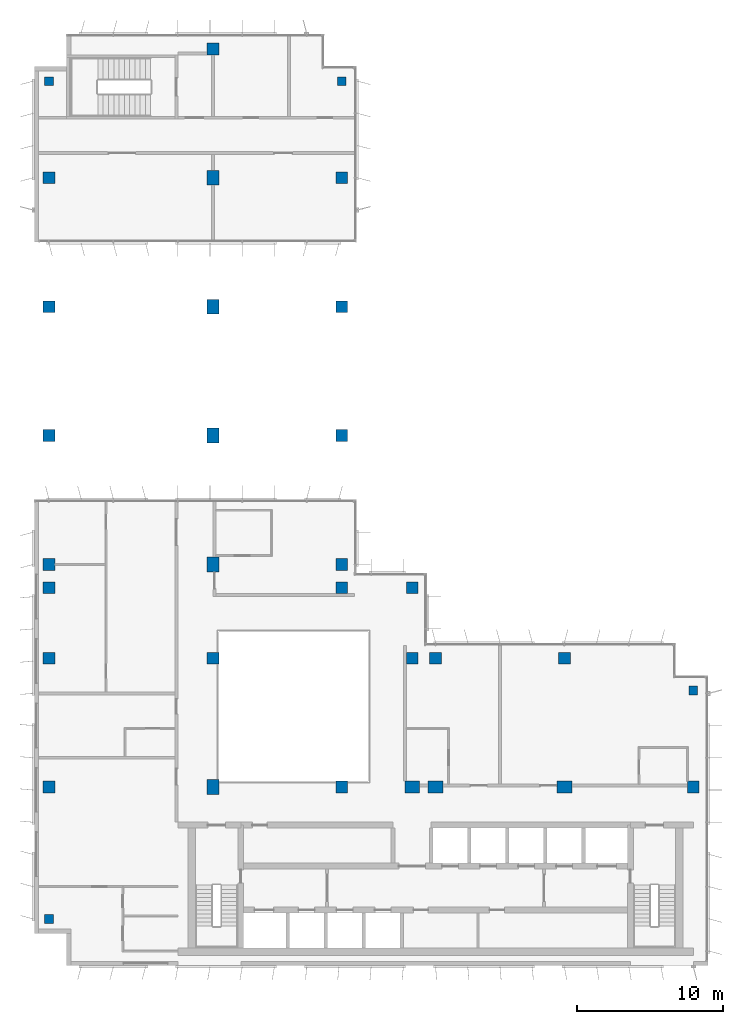
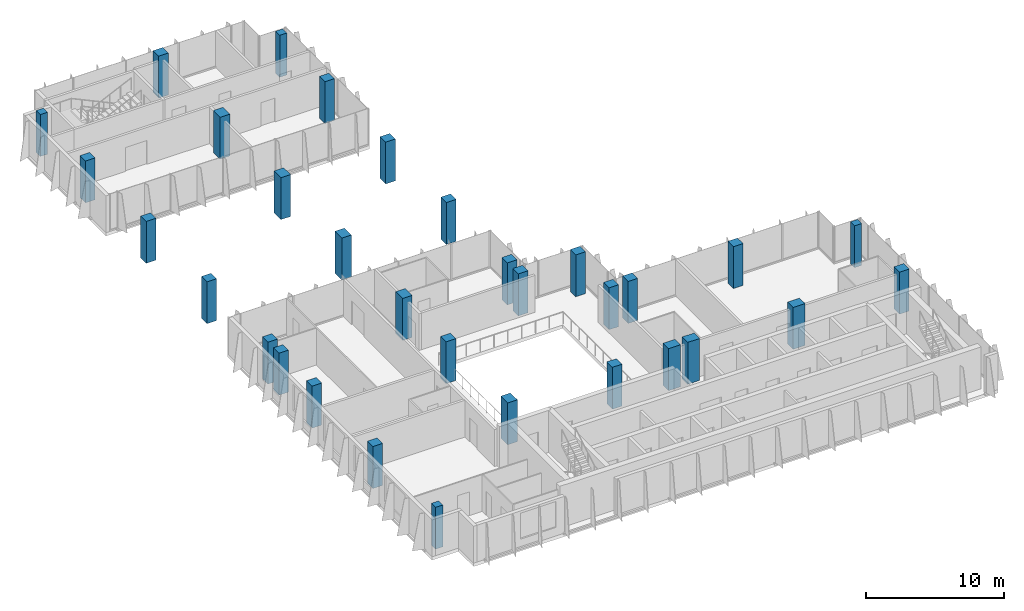
# One storey, part 1 of 13: 32 columns.
"""IFC4 building model written with IfcOpenShell, lengths in metres."""

from ifc_helpers import new_model, si_unit, direction, frame, origin, origin_2d, place, context, subcontext, project, spatial, rectangle, extrude, material, material_profile, profile_set, type_object, element, save


model = new_model("IFC4")

# Units and contexts
model_context = context("Model", 3, precision=1e-05, world=origin(), true_north=direction((0.0, 1.0)))
body_context = subcontext(model_context, "Body", "Model", "MODEL_VIEW")
ifc_project = project(units=[si_unit("LENGTHUNIT", "METRE"), si_unit("AREAUNIT", "SQUARE_METRE"), si_unit("VOLUMEUNIT", "CUBIC_METRE"), si_unit("PLANEANGLEUNIT", "RADIAN"), si_unit("MASSUNIT", "GRAM", prefix="KILO")], contexts=[model_context])

# Site, building, storey
site_placement = place(None, origin())
site = spatial("IfcSite", under=ifc_project, at=site_placement, CompositionType="ELEMENT")
building_placement = place(site_placement, origin())
building = spatial("IfcBuilding", under=site, at=building_placement, Name="Kemantara Hotel Tower", CompositionType="ELEMENT")
storey_placement = place(building_placement, frame((0.0, 0.0, 252.39990234375)))
storey = spatial("IfcBuildingStorey", under=building, at=storey_placement, Name="L63", CompositionType="ELEMENT", Elevation=252.39990234375)

# Columns
ifc_material = material(Name="Concrete fc 60 MPa", Category="concrete")
ifc_material_profile_1 = material_profile(ifc_material, rectangle(XDim=1.0, YDim=0.800048828125, at=origin_2d()), Name="RC 1000X800")
ifc_profile_set_1 = profile_set([ifc_material_profile_1], Name="Concrete fc 60 MPa")
column_type_1 = type_object("IfcColumnType", Name="RC COLUMN 1000X800 FC60", PredefinedType="COLUMN", material=ifc_profile_set_1)
for number, where, z_axis, x_axis, name in (
    (1, (12.199951171875, 12.199951171875, 0.0), (0.0, 0.0, 1.0), (0.0, 1.0, 0.0), "COLUMN 2A/BA L63"),
    (2, (12.199951171875, 27.39990234375, 0.0), (0.0, 0.0, 1.0), (0.0, 1.0, 0.0), "COLUMN 2A/D L63"),
    (3, (12.199951171875, 36.199951171875, 0.0), (0.0, 0.0, 1.0), (0.0, 1.0, 0.0), "COLUMN 2A/E L63"),
    (4, (12.199951171875, 45.0, 0.0), (0.0, 0.0, 1.0), (0.0, 1.0, 0.0), "COLUMN 2A/F L63"),
    (5, (12.199951171875, 53.800048828125, 0.0), (0.0, 0.0, 1.0), (0.0, 1.0, 0.0), "COLUMN 2A/G L63"),
    (6, (25.800048828125, 12.199951171875, 0.0), (0.0, 0.0, 1.0), (1.0, 0.0, 0.0), "COLUMN 3A/BA L63"),
    (7, (27.39990234375, 12.199951171875, 0.0), (0.0, 0.0, 1.0), (1.0, 0.0, 0.0), "COLUMN 4/BA L63"),
    (8, (36.199951171875, 12.199951171875, 0.0), (0.0, 0.0, 1.0), (1.0, 0.0, 0.0), "COLUMN 5/BA L63"),
):
    element("IfcColumn", number, at=place(storey_placement, frame(where, z_axis=z_axis, x_axis=x_axis)), inside=storey, type_object=column_type_1, Name=name, PredefinedType="COLUMN", context=body_context, shape_type="SweptSolid", body=[
        extrude(rectangle(XDim=1.0, YDim=0.800048828125, at=origin_2d()), origin(), (0.0, 0.0, 1.0), 3.7001953125),
    ])
ifc_material_profile_2 = material_profile(ifc_material, rectangle(XDim=0.60009765625, YDim=0.60009765625, at=origin_2d()), Name="RC 600X600")
ifc_profile_set_2 = profile_set([ifc_material_profile_2], Name="Concrete fc 60 MPa")
column_type_2 = type_object("IfcColumnType", Name="RC COLUMN 600X600 FC60", PredefinedType="COLUMN", material=ifc_profile_set_2)
for number, where, z_axis, x_axis, name in (
    (9, (1.0, 3.199951171875, 0.0), (0.0, 0.0, 1.0), (1.0, 0.0, 0.0), "COLUMN notch corner L63"),
    (10, (1.0, 60.39990234375, 0.0), (0.0, 0.0, 1.0), (1.0, 0.0, 0.0), "COLUMN notch corner L63"),
    (11, (21.0, 60.39990234375, 0.0), (0.0, 0.0, 1.0), (1.0, 0.0, 0.0), "COLUMN notch corner L63"),
    (12, (45.0, 18.800048828125, 0.0), (0.0, 0.0, 1.0), (1.0, 0.0, 0.0), "COLUMN notch corner L63"),
):
    element("IfcColumn", number, at=place(storey_placement, frame(where, z_axis=z_axis, x_axis=x_axis)), inside=storey, type_object=column_type_2, Name=name, PredefinedType="COLUMN", context=body_context, shape_type="SweptSolid", body=[
        extrude(rectangle(XDim=0.60009765625, YDim=0.60009765625, at=origin_2d()), origin(), (0.0, 0.0, 1.0), 3.7001953125),
    ])
ifc_material_profile_3 = material_profile(ifc_material, rectangle(XDim=0.800048828125, YDim=0.800048828125, at=origin_2d()), Name="RC 800X800")
ifc_profile_set_3 = profile_set([ifc_material_profile_3], Name="Concrete fc 60 MPa")
column_type_3 = type_object("IfcColumnType", Name="RC COLUMN 800X800 FC60", PredefinedType="COLUMN", material=ifc_profile_set_3)
for number, where, z_axis, x_axis, name in (
    (13, (1.0, 12.199951171875, 0.0), (0.0, 0.0, 1.0), (1.0, 0.0, 0.0), "COLUMN 1/BA L63"),
    (14, (1.0, 21.0, 0.0), (0.0, 0.0, 1.0), (1.0, 0.0, 0.0), "COLUMN 1/C L63"),
    (15, (1.0, 25.800048828125, 0.0), (0.0, 0.0, 1.0), (1.0, 0.0, 0.0), "COLUMN 1/CA L63"),
    (16, (1.0, 27.39990234375, 0.0), (0.0, 0.0, 1.0), (1.0, 0.0, 0.0), "COLUMN 1/D L63"),
    (17, (1.0, 36.199951171875, 0.0), (0.0, 0.0, 1.0), (1.0, 0.0, 0.0), "COLUMN 1/E L63"),
    (18, (1.0, 45.0, 0.0), (0.0, 0.0, 1.0), (1.0, 0.0, 0.0), "COLUMN 1/F L63"),
    (19, (1.0, 53.800048828125, 0.0), (0.0, 0.0, 1.0), (1.0, 0.0, 0.0), "COLUMN 1/G L63"),
    (20, (12.199951171875, 21.0, 0.0), (0.0, 0.0, 1.0), (1.0, 0.0, 0.0), "COLUMN 2A/C L63"),
    (21, (12.199951171875, 62.60009765625, 0.0), (0.0, 0.0, 1.0), (1.0, 0.0, 0.0), "COLUMN 2A/H L63"),
    (22, (21.0, 12.199951171875, 0.0), (0.0, 0.0, 1.0), (1.0, 0.0, 0.0), "COLUMN 3/BA L63"),
    (23, (21.0, 25.800048828125, 0.0), (0.0, 0.0, 1.0), (1.0, 0.0, 0.0), "COLUMN 3/CA L63"),
    (24, (21.0, 27.39990234375, 0.0), (0.0, 0.0, 1.0), (1.0, 0.0, 0.0), "COLUMN 3/D L63"),
    (25, (21.0, 36.199951171875, 0.0), (0.0, 0.0, 1.0), (1.0, 0.0, 0.0), "COLUMN 3/E L63"),
    (26, (21.0, 45.0, 0.0), (0.0, 0.0, 1.0), (1.0, 0.0, 0.0), "COLUMN 3/F L63"),
    (27, (21.0, 53.800048828125, 0.0), (0.0, 0.0, 1.0), (1.0, 0.0, 0.0), "COLUMN 3/G L63"),
    (28, (25.800048828125, 21.0, 0.0), (0.0, 0.0, 1.0), (1.0, 0.0, 0.0), "COLUMN 3A/C L63"),
    (29, (25.800048828125, 25.800048828125, 0.0), (0.0, 0.0, 1.0), (1.0, 0.0, 0.0), "COLUMN 3A/CA L63"),
    (30, (27.39990234375, 21.0, 0.0), (0.0, 0.0, 1.0), (1.0, 0.0, 0.0), "COLUMN 4/C L63"),
    (31, (36.199951171875, 21.0, 0.0), (0.0, 0.0, 1.0), (1.0, 0.0, 0.0), "COLUMN 5/C L63"),
    (32, (45.0, 12.199951171875, 0.0), (0.0, 0.0, 1.0), (1.0, 0.0, 0.0), "COLUMN 6/BA L63"),
):
    element("IfcColumn", number, at=place(storey_placement, frame(where, z_axis=z_axis, x_axis=x_axis)), inside=storey, type_object=column_type_3, Name=name, PredefinedType="COLUMN", context=body_context, shape_type="SweptSolid", body=[
        extrude(rectangle(XDim=0.800048828125, YDim=0.800048828125, at=origin_2d()), origin(), (0.0, 0.0, 1.0), 3.7001953125),
    ])

save(model, "model.ifc")
